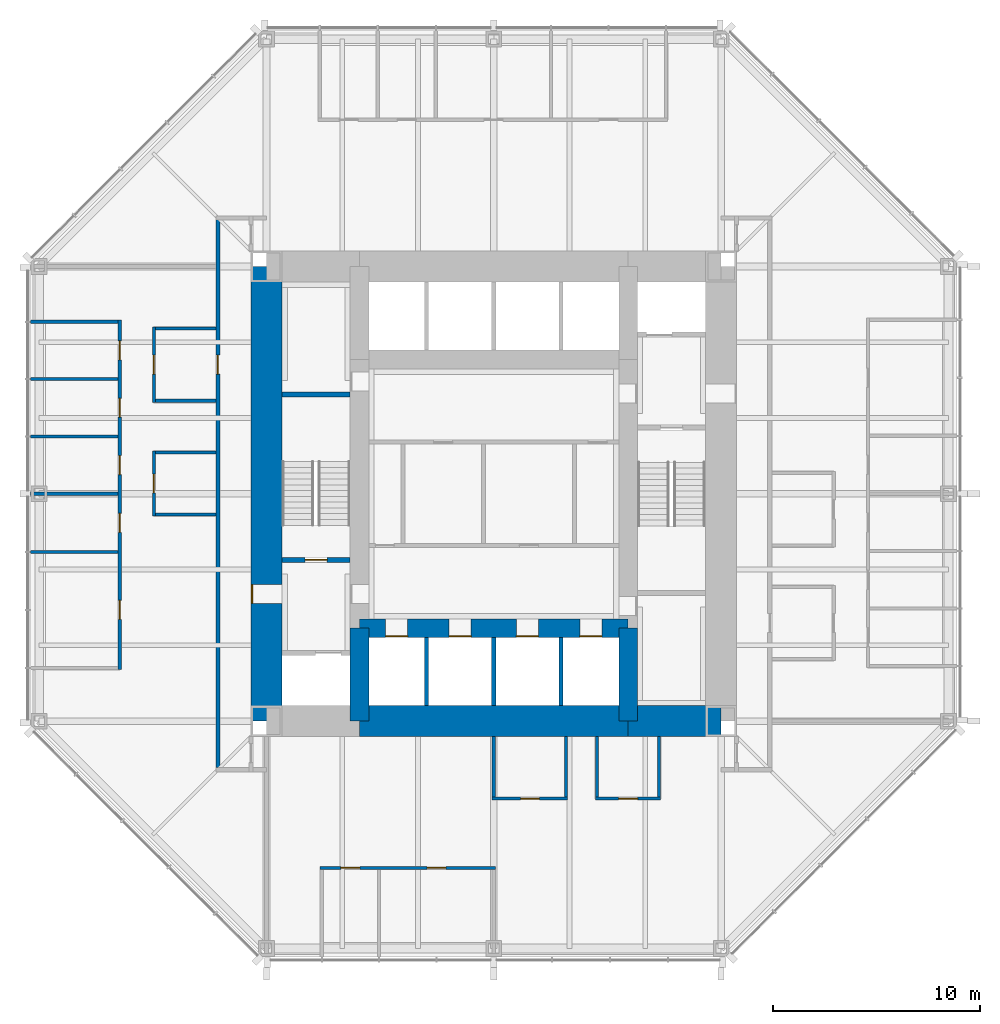
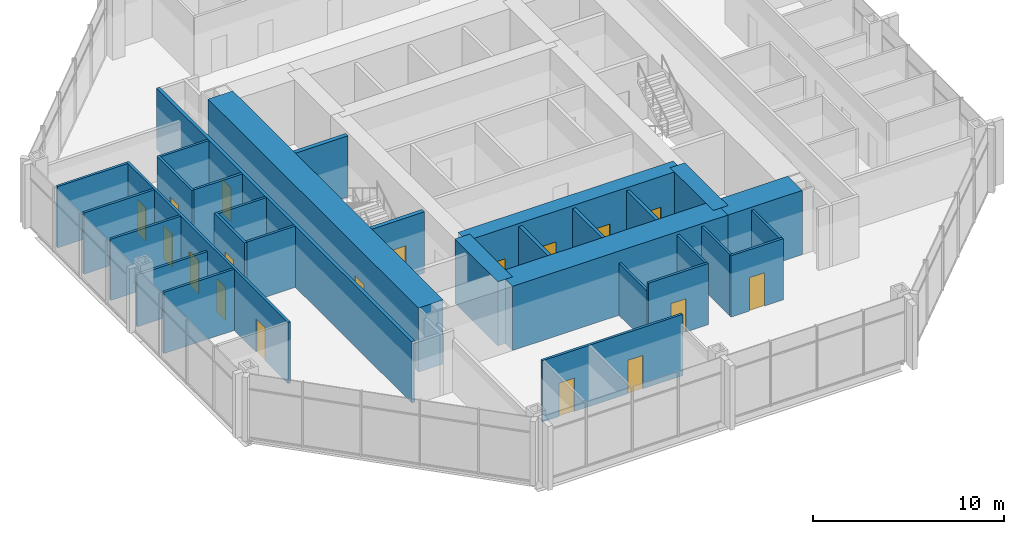
# One storey, part 9 of 12: 31 walls, 18 doors, 18 openings.
"""IFC4 building model written with IfcOpenShell, lengths in metres."""

from ifc_helpers import new_model, si_unit, direction, frame, frame_2d, origin, place, context, subcontext, project, spatial, rectangle, extrude, material, layer, layer_set, type_object, element, fill, save


model = new_model("IFC4")

# Units and contexts
model_context = context("Model", 3, precision=1e-05, world=origin(), true_north=direction((0.0, 1.0)))
body_context = subcontext(model_context, "Body", "Model", "MODEL_VIEW")
ifc_project = project(units=[si_unit("LENGTHUNIT", "METRE"), si_unit("AREAUNIT", "SQUARE_METRE"), si_unit("VOLUMEUNIT", "CUBIC_METRE"), si_unit("PLANEANGLEUNIT", "RADIAN"), si_unit("MASSUNIT", "GRAM", prefix="KILO")], contexts=[model_context])

# Site, building, storey
site_placement = place(None, origin())
site = spatial("IfcSite", under=ifc_project, at=site_placement, CompositionType="ELEMENT")
building_placement = place(site_placement, origin())
building = spatial("IfcBuilding", under=site, at=building_placement, Name="Trevanion Tower", CompositionType="ELEMENT")
storey_placement = place(building_placement, frame((0.0, 0.0, 117.199951171875)))
storey = spatial("IfcBuildingStorey", under=building, at=storey_placement, Name="L27", CompositionType="ELEMENT", Elevation=117.199951171875)

# Wall, opening, door
ifc_material_1 = material(Name="Concrete 10,000 psi", Category="concrete")
ifc_layer_1 = layer(ifc_material_1, 1.5)
ifc_layer_set_1 = layer_set([ifc_layer_1], Name="CW1 core wall 1500")
wall_type_1 = type_object("IfcWallType", Name="CW1 core wall 1500", PredefinedType="SHEAR", material=ifc_layer_set_1)
wall_1_placement = place(storey_placement, frame((-11.0, 11.0, 0.0), z_axis=(0.0, 0.0, 1.0), x_axis=(0.0, -1.0, 0.0)))
wall_1 = element("IfcWall", 1, at=wall_1_placement, inside=storey, type_object=wall_type_1, Name="CW1 CW L27", PredefinedType="SHEAR", context=body_context, shape_type="SweptSolid", body=[
    extrude(rectangle(XDim=22.0, YDim=1.5, at=frame_2d((11.0, 0.0))), origin(), (0.0, 0.0, 1.0), 4.10009765625),
])
opening_1_placement = place(wall_1_placement, frame((15.392578125, 0.0, 0.0)))
opening_1 = element("IfcOpeningElement", 2, at=opening_1_placement, cuts=wall_1, Name="Opening 27-002", PredefinedType="OPENING", context=body_context, shape_type="SweptSolid", body=[
    extrude(rectangle(XDim=0.9150390625, YDim=2.134033203125, at=frame_2d((0.45751953125, 1.06689453125))), frame((0.0, 0.760009765625, 0.0), z_axis=(0.0, -1.0, 0.0), x_axis=(1.0, 0.0, 0.0)), (0.0, 0.0, 1.0), 1.52001953125),
])
ifc_material_2 = material(Name="Hollow metal, fire rated", Category="steel")
door_type_1 = type_object("IfcDoorType", Name="D3 fire lift lobby door", OperationType="SINGLE_SWING_RIGHT", PredefinedType="DOOR", material=ifc_material_2)
door_1_placement = place(opening_1_placement, origin())
door_1 = element("IfcDoor", 3, at=door_1_placement, inside=storey, type_object=door_type_1, Name="Door 27-002", OperationType="SINGLE_SWING_RIGHT", OverallHeight=2.134033203125, OverallWidth=0.9150390625, PredefinedType="DOOR", context=body_context, shape_type="SweptSolid", body=[
    extrude(rectangle(XDim=0.9150390625, YDim=2.134033203125, at=frame_2d((0.45751953125, 1.06689453125))), frame((0.0, -0.6748046875, 0.0), z_axis=(0.0, -1.0, 0.0), x_axis=(1.0, 0.0, 0.0)), (0.0, 0.0, 1.0), 0.050048828125),
])
fill(opening_1, door_1)

# Walls
wall_2_placement = place(storey_placement, frame((-6.5, -11.0, 0.0), z_axis=(0.0, 0.0, 1.0), x_axis=(1.0, 0.0, 0.0)))
element("IfcWall", 4, at=wall_2_placement, inside=storey, type_object=wall_type_1, Name="CW1 CS2 L27", PredefinedType="SHEAR", context=body_context, shape_type="SweptSolid", body=[
    extrude(rectangle(XDim=13.0, YDim=1.5, at=frame_2d((6.5, 0.0))), origin(), (0.0, 0.0, 1.0), 4.10009765625),
])
wall_3_placement = place(storey_placement, frame((6.5, -11.0, 0.0), z_axis=(0.0, 0.0, 1.0), x_axis=(1.0, 0.0, 0.0)))
element("IfcWall", 5, at=wall_3_placement, inside=storey, type_object=wall_type_1, Name="CW1 CS3 L27", PredefinedType="SHEAR", context=body_context, shape_type="SweptSolid", body=[
    extrude(rectangle(XDim=4.5, YDim=1.5, at=frame_2d((2.25, 0.0))), origin(), (0.0, 0.0, 1.0), 4.10009765625),
])
ifc_material_3 = material(Name="Concrete 10,000 psi", Category="concrete")
ifc_layer_2 = layer(ifc_material_3, 0.89990234375)
ifc_layer_set_2 = layer_set([ifc_layer_2], Name="CW2 core wall 900")
wall_type_2 = type_object("IfcWallType", Name="CW2 core wall 900", PredefinedType="SHEAR", material=ifc_layer_set_2)
for number, where, z_axis, x_axis, name in (
    (6, (6.5, -11.0, 0.0), (0.0, 0.0, 1.0), (0.0, 1.0, 0.0), "CW2 RE1 L27"),
    (7, (-6.5, -6.5, 0.0), (0.0, 0.0, 1.0), (0.0, -1.0, 0.0), "CW2 RW3 L27"),
):
    element("IfcWall", number, at=place(storey_placement, frame(where, z_axis=z_axis, x_axis=x_axis)), inside=storey, type_object=wall_type_2, Name=name, PredefinedType="SHEAR", context=body_context, shape_type="SweptSolid", body=[
        extrude(rectangle(XDim=4.5, YDim=0.89990234375, at=frame_2d((2.25, 0.0))), origin(), (0.0, 0.0, 1.0), 4.10009765625),
    ])

# Wall, openings, doors
wall_4_placement = place(storey_placement, frame((-6.5, -6.5, 0.0), z_axis=(0.0, 0.0, 1.0), x_axis=(1.0, 0.0, 0.0)))
wall_4 = element("IfcWall", 8, at=wall_4_placement, inside=storey, type_object=wall_type_2, Name="CW2 RS L27", PredefinedType="SHEAR", context=body_context, shape_type="SweptSolid", body=[
    extrude(rectangle(XDim=13.0, YDim=0.89990234375, at=frame_2d((6.5, 0.0))), origin(), (0.0, 0.0, 1.0), 4.10009765625),
])
opening_2_placement = place(wall_4_placement, frame((1.2666015625, 0.0, 0.0)))
opening_2 = element("IfcOpeningElement", 9, at=opening_2_placement, cuts=wall_4, Name="Opening 27-011", PredefinedType="OPENING", context=body_context, shape_type="SweptSolid", body=[
    extrude(rectangle(XDim=1.06689453125, YDim=2.134033203125, at=frame_2d((0.533447265625, 1.06689453125))), frame((0.0, 0.4599609375, 0.0), z_axis=(0.0, -1.0, 0.0), x_axis=(1.0, 0.0, 0.0)), (0.0, 0.0, 1.0), 0.919921875),
])
opening_3_placement = place(wall_4_placement, frame((4.341552734375, 0.0, 0.0)))
opening_3 = element("IfcOpeningElement", 10, at=opening_3_placement, cuts=wall_4, Name="Opening 27-012", PredefinedType="OPENING", context=body_context, shape_type="SweptSolid", body=[
    extrude(rectangle(XDim=1.06689453125, YDim=2.134033203125, at=frame_2d((0.533447265625, 1.06689453125))), frame((0.0, 0.4599609375, 0.0), z_axis=(0.0, -1.0, 0.0), x_axis=(1.0, 0.0, 0.0)), (0.0, 0.0, 1.0), 0.919921875),
])
opening_4_placement = place(wall_4_placement, frame((7.591552734375, 0.0, 0.0)))
opening_4 = element("IfcOpeningElement", 11, at=opening_4_placement, cuts=wall_4, Name="Opening 27-013", PredefinedType="OPENING", context=body_context, shape_type="SweptSolid", body=[
    extrude(rectangle(XDim=1.06689453125, YDim=2.134033203125, at=frame_2d((0.533447265625, 1.06689453125))), frame((0.0, 0.4599609375, 0.0), z_axis=(0.0, -1.0, 0.0), x_axis=(1.0, 0.0, 0.0)), (0.0, 0.0, 1.0), 0.919921875),
])
opening_5_placement = place(wall_4_placement, frame((10.66650390625, 0.0, 0.0)))
opening_5 = element("IfcOpeningElement", 12, at=opening_5_placement, cuts=wall_4, Name="Opening 27-014", PredefinedType="OPENING", context=body_context, shape_type="SweptSolid", body=[
    extrude(rectangle(XDim=1.06689453125, YDim=2.134033203125, at=frame_2d((0.533447265625, 1.06689453125))), frame((0.0, 0.4599609375, 0.0), z_axis=(0.0, -1.0, 0.0), x_axis=(1.0, 0.0, 0.0)), (0.0, 0.0, 1.0), 0.919921875),
])
ifc_material_4 = material(Name="Stainless steel, fire rated", Category="steel")
door_type_2 = type_object("IfcDoorType", Name="LD1 lift landing door", OperationType="SLIDING_TO_LEFT", PredefinedType="DOOR", material=ifc_material_4)
door_2_placement = place(opening_2_placement, origin())
door_2 = element("IfcDoor", 13, at=door_2_placement, inside=storey, type_object=door_type_2, Name="Door 27-011", OperationType="SLIDING_TO_LEFT", OverallHeight=2.134033203125, OverallWidth=1.06689453125, PredefinedType="DOOR", context=body_context, shape_type="SweptSolid", body=[
    extrude(rectangle(XDim=1.06689453125, YDim=2.134033203125, at=frame_2d((0.533447265625, 1.06689453125))), frame((0.0, -0.375, 0.0), z_axis=(0.0, -1.0, 0.0), x_axis=(1.0, 0.0, 0.0)), (0.0, 0.0, 1.0), 0.050048828125),
])
fill(opening_2, door_2)
door_3_placement = place(opening_3_placement, origin())
door_3 = element("IfcDoor", 14, at=door_3_placement, inside=storey, type_object=door_type_2, Name="Door 27-012", OperationType="SLIDING_TO_LEFT", OverallHeight=2.134033203125, OverallWidth=1.06689453125, PredefinedType="DOOR", context=body_context, shape_type="SweptSolid", body=[
    extrude(rectangle(XDim=1.06689453125, YDim=2.134033203125, at=frame_2d((0.533447265625, 1.06689453125))), frame((0.0, -0.375, 0.0), z_axis=(0.0, -1.0, 0.0), x_axis=(1.0, 0.0, 0.0)), (0.0, 0.0, 1.0), 0.050048828125),
])
fill(opening_3, door_3)
door_4_placement = place(opening_4_placement, origin())
door_4 = element("IfcDoor", 15, at=door_4_placement, inside=storey, type_object=door_type_2, Name="Door 27-013", OperationType="SLIDING_TO_LEFT", OverallHeight=2.134033203125, OverallWidth=1.06689453125, PredefinedType="DOOR", context=body_context, shape_type="SweptSolid", body=[
    extrude(rectangle(XDim=1.06689453125, YDim=2.134033203125, at=frame_2d((0.533447265625, 1.06689453125))), frame((0.0, -0.375, 0.0), z_axis=(0.0, -1.0, 0.0), x_axis=(1.0, 0.0, 0.0)), (0.0, 0.0, 1.0), 0.050048828125),
])
fill(opening_4, door_4)
door_5_placement = place(opening_5_placement, origin())
door_5 = element("IfcDoor", 16, at=door_5_placement, inside=storey, type_object=door_type_2, Name="Door 27-014", OperationType="SLIDING_TO_LEFT", OverallHeight=2.134033203125, OverallWidth=1.06689453125, PredefinedType="DOOR", context=body_context, shape_type="SweptSolid", body=[
    extrude(rectangle(XDim=1.06689453125, YDim=2.134033203125, at=frame_2d((0.533447265625, 1.06689453125))), frame((0.0, -0.375, 0.0), z_axis=(0.0, -1.0, 0.0), x_axis=(1.0, 0.0, 0.0)), (0.0, 0.0, 1.0), 0.050048828125),
])
fill(opening_5, door_5)

ifc_material_5 = material(Name="Gypsum board on steel studs", Category="steel")
ifc_layer_3 = layer(ifc_material_5, 0.14990234375)
ifc_layer_set_3 = layer_set([ifc_layer_3], Name="PT1 partition 150")
wall_type_3 = type_object("IfcWallType", Name="PT1 partition 150", PredefinedType="PARTITIONING", material=ifc_layer_set_3)
wall_5_placement = place(storey_placement, frame((-18.10009765625, 8.39794921875, 0.0), z_axis=(0.0, 0.0, 1.0), x_axis=(0.0, -1.0, 0.0)))
wall_5 = element("IfcWall", 17, at=wall_5_placement, inside=storey, type_object=wall_type_3, Name="PT1 L27 FC2F", PredefinedType="PARTITIONING", context=body_context, shape_type="SweptSolid", body=[
    extrude(rectangle(XDim=16.89404296875, YDim=0.14990234375, at=frame_2d((8.447021484375, 0.0))), origin(), (0.0, 0.0, 1.0), 3.91015625),
])
opening_6_placement = place(wall_5_placement, frame((1.00439453125, 0.0, 0.0)))
opening_6 = element("IfcOpeningElement", 18, at=opening_6_placement, cuts=wall_5, Name="Opening 27-032", PredefinedType="OPENING", context=body_context, shape_type="SweptSolid", body=[
    extrude(rectangle(XDim=0.9150390625, YDim=2.134033203125, at=frame_2d((0.45751953125, 1.06689453125))), frame((0.0, 0.0849609375, 0.0), z_axis=(0.0, -1.0, 0.0), x_axis=(1.0, 0.0, 0.0)), (0.0, 0.0, 1.0), 0.169921875),
])
opening_7_placement = place(wall_5_placement, frame((3.778564453125, 0.0, 0.0)))
opening_7 = element("IfcOpeningElement", 19, at=opening_7_placement, cuts=wall_5, Name="Opening 27-033", PredefinedType="OPENING", context=body_context, shape_type="SweptSolid", body=[
    extrude(rectangle(XDim=0.9150390625, YDim=2.134033203125, at=frame_2d((0.45751953125, 1.06689453125))), frame((0.0, 0.0849609375, 0.0), z_axis=(0.0, -1.0, 0.0), x_axis=(1.0, 0.0, 0.0)), (0.0, 0.0, 1.0), 0.169921875),
])
opening_8_placement = place(wall_5_placement, frame((6.552978515625, 0.0, 0.0)))
opening_8 = element("IfcOpeningElement", 20, at=opening_8_placement, cuts=wall_5, Name="Opening 27-034", PredefinedType="OPENING", context=body_context, shape_type="SweptSolid", body=[
    extrude(rectangle(XDim=0.9150390625, YDim=2.134033203125, at=frame_2d((0.45751953125, 1.06689453125))), frame((0.0, 0.0849609375, 0.0), z_axis=(0.0, -1.0, 0.0), x_axis=(1.0, 0.0, 0.0)), (0.0, 0.0, 1.0), 0.169921875),
])
opening_9_placement = place(wall_5_placement, frame((9.343994140625, 0.0, 0.0)))
opening_9 = element("IfcOpeningElement", 21, at=opening_9_placement, cuts=wall_5, Name="Opening 27-035", PredefinedType="OPENING", context=body_context, shape_type="SweptSolid", body=[
    extrude(rectangle(XDim=0.9150390625, YDim=2.134033203125, at=frame_2d((0.45751953125, 1.06689453125))), frame((0.0, 0.0849609375, 0.0), z_axis=(0.0, -1.0, 0.0), x_axis=(1.0, 0.0, 0.0)), (0.0, 0.0, 1.0), 0.169921875),
])
opening_10_placement = place(wall_5_placement, frame((13.554443359375, 0.0, 0.0)))
opening_10 = element("IfcOpeningElement", 22, at=opening_10_placement, cuts=wall_5, Name="Opening 27-036", PredefinedType="OPENING", context=body_context, shape_type="SweptSolid", body=[
    extrude(rectangle(XDim=0.9150390625, YDim=2.134033203125, at=frame_2d((0.45751953125, 1.06689453125))), frame((0.0, 0.0849609375, 0.0), z_axis=(0.0, -1.0, 0.0), x_axis=(1.0, 0.0, 0.0)), (0.0, 0.0, 1.0), 0.169921875),
])
ifc_material_6 = material(Name="Timber veneer, solid core", Category="wood")
door_type_3 = type_object("IfcDoorType", Name="D1 office and meeting room door", OperationType="SINGLE_SWING_LEFT", PredefinedType="DOOR", material=ifc_material_6)
door_6_placement = place(opening_6_placement, origin())
door_6 = element("IfcDoor", 23, at=door_6_placement, inside=storey, type_object=door_type_3, Name="Door 27-032", OperationType="SINGLE_SWING_LEFT", OverallHeight=2.134033203125, OverallWidth=0.9150390625, PredefinedType="DOOR", context=body_context, shape_type="SweptSolid", body=[
    extrude(rectangle(XDim=0.9150390625, YDim=2.134033203125, at=frame_2d((0.45751953125, 1.06689453125))), frame((0.0, 0.02490234375, 0.0), z_axis=(0.0, -1.0, 0.0), x_axis=(1.0, 0.0, 0.0)), (0.0, 0.0, 1.0), 0.050048828125),
])
fill(opening_6, door_6)
door_7_placement = place(opening_7_placement, origin())
door_7 = element("IfcDoor", 24, at=door_7_placement, inside=storey, type_object=door_type_3, Name="Door 27-033", OperationType="SINGLE_SWING_LEFT", OverallHeight=2.134033203125, OverallWidth=0.9150390625, PredefinedType="DOOR", context=body_context, shape_type="SweptSolid", body=[
    extrude(rectangle(XDim=0.9150390625, YDim=2.134033203125, at=frame_2d((0.45751953125, 1.06689453125))), frame((0.0, 0.02490234375, 0.0), z_axis=(0.0, -1.0, 0.0), x_axis=(1.0, 0.0, 0.0)), (0.0, 0.0, 1.0), 0.050048828125),
])
fill(opening_7, door_7)
door_8_placement = place(opening_8_placement, origin())
door_8 = element("IfcDoor", 25, at=door_8_placement, inside=storey, type_object=door_type_3, Name="Door 27-034", OperationType="SINGLE_SWING_LEFT", OverallHeight=2.134033203125, OverallWidth=0.9150390625, PredefinedType="DOOR", context=body_context, shape_type="SweptSolid", body=[
    extrude(rectangle(XDim=0.9150390625, YDim=2.134033203125, at=frame_2d((0.45751953125, 1.06689453125))), frame((0.0, 0.02490234375, 0.0), z_axis=(0.0, -1.0, 0.0), x_axis=(1.0, 0.0, 0.0)), (0.0, 0.0, 1.0), 0.050048828125),
])
fill(opening_8, door_8)
door_9_placement = place(opening_9_placement, origin())
door_9 = element("IfcDoor", 26, at=door_9_placement, inside=storey, type_object=door_type_3, Name="Door 27-035", OperationType="SINGLE_SWING_LEFT", OverallHeight=2.134033203125, OverallWidth=0.9150390625, PredefinedType="DOOR", context=body_context, shape_type="SweptSolid", body=[
    extrude(rectangle(XDim=0.9150390625, YDim=2.134033203125, at=frame_2d((0.45751953125, 1.06689453125))), frame((0.0, 0.02490234375, 0.0), z_axis=(0.0, -1.0, 0.0), x_axis=(1.0, 0.0, 0.0)), (0.0, 0.0, 1.0), 0.050048828125),
])
fill(opening_9, door_9)
door_10_placement = place(opening_10_placement, origin())
door_10 = element("IfcDoor", 27, at=door_10_placement, inside=storey, type_object=door_type_3, Name="Door 27-036", OperationType="SINGLE_SWING_LEFT", OverallHeight=2.134033203125, OverallWidth=0.9150390625, PredefinedType="DOOR", context=body_context, shape_type="SweptSolid", body=[
    extrude(rectangle(XDim=0.9150390625, YDim=2.134033203125, at=frame_2d((0.45751953125, 1.06689453125))), frame((0.0, 0.02490234375, 0.0), z_axis=(0.0, -1.0, 0.0), x_axis=(1.0, 0.0, 0.0)), (0.0, 0.0, 1.0), 0.050048828125),
])
fill(opening_10, door_10)

# Walls
for number, where, z_axis, x_axis, name in (
    (28, (-18.175048828125, 8.322998046875, 0.0), (0.0, 0.0, 1.0), (-1.0, 0.0, 0.0), "PT1 L27 FC2S0"),
    (29, (-18.175048828125, 5.549072265625, 0.0), (0.0, 0.0, 1.0), (-1.0, 0.0, 0.0), "PT1 L27 FC2S1"),
    (30, (-18.175048828125, 2.77490234375, 0.0), (0.0, 0.0, 1.0), (-1.0, 0.0, 0.0), "PT1 L27 FC2S2"),
):
    element("IfcWall", number, at=place(storey_placement, frame(where, z_axis=z_axis, x_axis=x_axis)), inside=storey, type_object=wall_type_3, Name=name, PredefinedType="PARTITIONING", context=body_context, shape_type="SweptSolid", body=[
        extrude(rectangle(XDim=4.239990234375, YDim=0.14990234375, at=frame_2d((2.1201171875, 0.0))), origin(), (0.0, 0.0, 1.0), 3.91015625),
    ])
wall_6_placement = place(storey_placement, frame((-18.175048828125, 0.0, 0.0), z_axis=(0.0, 0.0, 1.0), x_axis=(-1.0, 0.0, 0.0)))
element("IfcWall", 31, at=wall_6_placement, inside=storey, type_object=wall_type_3, Name="PT1 L27 FC2S3", PredefinedType="PARTITIONING", context=body_context, shape_type="SweptSolid", body=[
    extrude(rectangle(XDim=4.239990234375, YDim=0.14990234375, at=frame_2d((2.1201171875, 0.0))), origin(), (0.0, 0.0, 1.0), 3.325927734375),
])
wall_7_placement = place(storey_placement, frame((-18.175048828125, -2.806884765625, 0.0), z_axis=(0.0, 0.0, 1.0), x_axis=(-1.0, 0.0, 0.0)))
element("IfcWall", 32, at=wall_7_placement, inside=storey, type_object=wall_type_3, Name="PT1 L27 FC2S4", PredefinedType="PARTITIONING", context=body_context, shape_type="SweptSolid", body=[
    extrude(rectangle(XDim=4.239990234375, YDim=0.14990234375, at=frame_2d((2.1201171875, 0.0))), origin(), (0.0, 0.0, 1.0), 3.91015625),
])

# Wall, openings, doors
wall_8_placement = place(storey_placement, frame((-8.39794921875, -18.10009765625, 0.0), z_axis=(0.0, 0.0, 1.0), x_axis=(1.0, 0.0, 0.0)))
wall_8 = element("IfcWall", 33, at=wall_8_placement, inside=storey, type_object=wall_type_3, Name="PT1 L27 FC3F", PredefinedType="PARTITIONING", context=body_context, shape_type="SweptSolid", body=[
    extrude(rectangle(XDim=8.472900390625, YDim=0.14990234375, at=frame_2d((4.236328125, 0.0))), origin(), (0.0, 0.0, 1.0), 3.91015625),
])
opening_11_placement = place(wall_8_placement, frame((1.00439453125, 0.0, 0.0)))
opening_11 = element("IfcOpeningElement", 34, at=opening_11_placement, cuts=wall_8, Name="Opening 27-037", PredefinedType="OPENING", context=body_context, shape_type="SweptSolid", body=[
    extrude(rectangle(XDim=0.9150390625, YDim=2.134033203125, at=frame_2d((0.45751953125, 1.06689453125))), frame((0.0, 0.0849609375, 0.0), z_axis=(0.0, -1.0, 0.0), x_axis=(1.0, 0.0, 0.0)), (0.0, 0.0, 1.0), 0.169921875),
])
opening_12_placement = place(wall_8_placement, frame((5.166015625, 0.0, 0.0)))
opening_12 = element("IfcOpeningElement", 35, at=opening_12_placement, cuts=wall_8, Name="Opening 27-038", PredefinedType="OPENING", context=body_context, shape_type="SweptSolid", body=[
    extrude(rectangle(XDim=0.9150390625, YDim=2.134033203125, at=frame_2d((0.45751953125, 1.06689453125))), frame((0.0, 0.0849609375, 0.0), z_axis=(0.0, -1.0, 0.0), x_axis=(1.0, 0.0, 0.0)), (0.0, 0.0, 1.0), 0.169921875),
])
door_11_placement = place(opening_11_placement, origin())
door_11 = element("IfcDoor", 36, at=door_11_placement, inside=storey, type_object=door_type_3, Name="Door 27-037", OperationType="SINGLE_SWING_LEFT", OverallHeight=2.134033203125, OverallWidth=0.9150390625, PredefinedType="DOOR", context=body_context, shape_type="SweptSolid", body=[
    extrude(rectangle(XDim=0.9150390625, YDim=2.134033203125, at=frame_2d((0.45751953125, 1.06689453125))), frame((0.0, 0.02490234375, 0.0), z_axis=(0.0, -1.0, 0.0), x_axis=(1.0, 0.0, 0.0)), (0.0, 0.0, 1.0), 0.050048828125),
])
fill(opening_11, door_11)
door_12_placement = place(opening_12_placement, origin())
door_12 = element("IfcDoor", 37, at=door_12_placement, inside=storey, type_object=door_type_3, Name="Door 27-038", OperationType="SINGLE_SWING_LEFT", OverallHeight=2.134033203125, OverallWidth=0.9150390625, PredefinedType="DOOR", context=body_context, shape_type="SweptSolid", body=[
    extrude(rectangle(XDim=0.9150390625, YDim=2.134033203125, at=frame_2d((0.45751953125, 1.06689453125))), frame((0.0, 0.02490234375, 0.0), z_axis=(0.0, -1.0, 0.0), x_axis=(1.0, 0.0, 0.0)), (0.0, 0.0, 1.0), 0.050048828125),
])
fill(opening_12, door_12)

# Wall, opening, door
wall_9_placement = place(storey_placement, frame((-16.449951171875, 8.074951171875, 0.0), z_axis=(0.0, 0.0, 1.0), x_axis=(0.0, -1.0, 0.0)))
wall_9 = element("IfcWall", 38, at=wall_9_placement, inside=storey, type_object=wall_type_3, Name="PT1 L27 IN20F", PredefinedType="PARTITIONING", context=body_context, shape_type="SweptSolid", body=[
    extrude(rectangle(XDim=3.64990234375, YDim=0.14990234375, at=frame_2d((1.824951171875, 0.0))), origin(), (0.0, 0.0, 1.0), 3.91015625),
])
opening_13_placement = place(wall_9_placement, frame((1.367431640625, 0.0, 0.0)))
opening_13 = element("IfcOpeningElement", 39, at=opening_13_placement, cuts=wall_9, Name="Opening 27-042", PredefinedType="OPENING", context=body_context, shape_type="SweptSolid", body=[
    extrude(rectangle(XDim=0.9150390625, YDim=2.134033203125, at=frame_2d((0.45751953125, 1.06689453125))), frame((0.0, 0.0849609375, 0.0), z_axis=(0.0, -1.0, 0.0), x_axis=(1.0, 0.0, 0.0)), (0.0, 0.0, 1.0), 0.169921875),
])
door_13_placement = place(opening_13_placement, origin())
door_13 = element("IfcDoor", 40, at=door_13_placement, inside=storey, type_object=door_type_3, Name="Door 27-042", OperationType="SINGLE_SWING_LEFT", OverallHeight=2.134033203125, OverallWidth=0.9150390625, PredefinedType="DOOR", context=body_context, shape_type="SweptSolid", body=[
    extrude(rectangle(XDim=0.9150390625, YDim=2.134033203125, at=frame_2d((0.45751953125, 1.06689453125))), frame((0.0, 0.02490234375, 0.0), z_axis=(0.0, -1.0, 0.0), x_axis=(1.0, 0.0, 0.0)), (0.0, 0.0, 1.0), 0.050048828125),
])
fill(opening_13, door_13)

# Walls
for number, where, z_axis, x_axis, name in (
    (41, (-16.375, 8.0, 0.0), (0.0, 0.0, 1.0), (1.0, 0.0, 0.0), "PT1 L27 IN20S0"),
    (42, (-16.375, 4.5, 0.0), (0.0, 0.0, 1.0), (1.0, 0.0, 0.0), "PT1 L27 IN20S1"),
):
    element("IfcWall", number, at=place(storey_placement, frame(where, z_axis=z_axis, x_axis=x_axis)), inside=storey, type_object=wall_type_3, Name=name, PredefinedType="PARTITIONING", context=body_context, shape_type="SweptSolid", body=[
        extrude(rectangle(XDim=2.925048828125, YDim=0.14990234375, at=frame_2d((1.46240234375, 0.0))), origin(), (0.0, 0.0, 1.0), 3.91015625),
    ])

# Wall, opening, door
wall_10_placement = place(storey_placement, frame((-16.449951171875, 2.074951171875, 0.0), z_axis=(0.0, 0.0, 1.0), x_axis=(0.0, -1.0, 0.0)))
wall_10 = element("IfcWall", 43, at=wall_10_placement, inside=storey, type_object=wall_type_3, Name="PT1 L27 IN21F", PredefinedType="PARTITIONING", context=body_context, shape_type="SweptSolid", body=[
    extrude(rectangle(XDim=3.14990234375, YDim=0.14990234375, at=frame_2d((1.574951171875, 0.0))), origin(), (0.0, 0.0, 1.0), 3.91015625),
])
opening_14_placement = place(wall_10_placement, frame((1.117431640625, 0.0, 0.0)))
opening_14 = element("IfcOpeningElement", 44, at=opening_14_placement, cuts=wall_10, Name="Opening 27-044", PredefinedType="OPENING", context=body_context, shape_type="SweptSolid", body=[
    extrude(rectangle(XDim=0.9150390625, YDim=2.134033203125, at=frame_2d((0.45751953125, 1.06689453125))), frame((0.0, 0.0849609375, 0.0), z_axis=(0.0, -1.0, 0.0), x_axis=(1.0, 0.0, 0.0)), (0.0, 0.0, 1.0), 0.169921875),
])
door_14_placement = place(opening_14_placement, origin())
door_14 = element("IfcDoor", 45, at=door_14_placement, inside=storey, type_object=door_type_3, Name="Door 27-044", OperationType="SINGLE_SWING_LEFT", OverallHeight=2.134033203125, OverallWidth=0.9150390625, PredefinedType="DOOR", context=body_context, shape_type="SweptSolid", body=[
    extrude(rectangle(XDim=0.9150390625, YDim=2.134033203125, at=frame_2d((0.45751953125, 1.06689453125))), frame((0.0, 0.02490234375, 0.0), z_axis=(0.0, -1.0, 0.0), x_axis=(1.0, 0.0, 0.0)), (0.0, 0.0, 1.0), 0.050048828125),
])
fill(opening_14, door_14)

# Walls
for number, where, z_axis, x_axis, name in (
    (46, (-16.375, 2.0, 0.0), (0.0, 0.0, 1.0), (1.0, 0.0, 0.0), "PT1 L27 IN21S0"),
    (47, (-16.375, -1.0, 0.0), (0.0, 0.0, 1.0), (1.0, 0.0, 0.0), "PT1 L27 IN21S1"),
):
    element("IfcWall", number, at=place(storey_placement, frame(where, z_axis=z_axis, x_axis=x_axis)), inside=storey, type_object=wall_type_3, Name=name, PredefinedType="PARTITIONING", context=body_context, shape_type="SweptSolid", body=[
        extrude(rectangle(XDim=2.925048828125, YDim=0.14990234375, at=frame_2d((1.46240234375, 0.0))), origin(), (0.0, 0.0, 1.0), 3.91015625),
    ])

# Wall, opening, door
wall_11_placement = place(storey_placement, frame((-0.074951171875, -14.75, 0.0), z_axis=(0.0, 0.0, 1.0), x_axis=(1.0, 0.0, 0.0)))
wall_11 = element("IfcWall", 48, at=wall_11_placement, inside=storey, type_object=wall_type_3, Name="PT1 L27 IN30F", PredefinedType="PARTITIONING", context=body_context, shape_type="SweptSolid", body=[
    extrude(rectangle(XDim=3.64990234375, YDim=0.14990234375, at=frame_2d((1.824951171875, 0.0))), origin(), (0.0, 0.0, 1.0), 3.91015625),
])
opening_15_placement = place(wall_11_placement, frame((1.367431640625, 0.0, 0.0)))
opening_15 = element("IfcOpeningElement", 49, at=opening_15_placement, cuts=wall_11, Name="Opening 27-045", PredefinedType="OPENING", context=body_context, shape_type="SweptSolid", body=[
    extrude(rectangle(XDim=0.9150390625, YDim=2.134033203125, at=frame_2d((0.45751953125, 1.06689453125))), frame((0.0, 0.0849609375, 0.0), z_axis=(0.0, -1.0, 0.0), x_axis=(1.0, 0.0, 0.0)), (0.0, 0.0, 1.0), 0.169921875),
])
door_15_placement = place(opening_15_placement, origin())
door_15 = element("IfcDoor", 50, at=door_15_placement, inside=storey, type_object=door_type_3, Name="Door 27-045", OperationType="SINGLE_SWING_LEFT", OverallHeight=2.134033203125, OverallWidth=0.9150390625, PredefinedType="DOOR", context=body_context, shape_type="SweptSolid", body=[
    extrude(rectangle(XDim=0.9150390625, YDim=2.134033203125, at=frame_2d((0.45751953125, 1.06689453125))), frame((0.0, 0.02490234375, 0.0), z_axis=(0.0, -1.0, 0.0), x_axis=(1.0, 0.0, 0.0)), (0.0, 0.0, 1.0), 0.050048828125),
])
fill(opening_15, door_15)

# Walls
wall_12_placement = place(storey_placement, frame((0.0, -14.675048828125, 0.0), z_axis=(0.0, 0.0, 1.0), x_axis=(0.0, 1.0, 0.0)))
element("IfcWall", 51, at=wall_12_placement, inside=storey, type_object=wall_type_3, Name="PT1 L27 IN30S0", PredefinedType="PARTITIONING", context=body_context, shape_type="SweptSolid", body=[
    extrude(rectangle(XDim=2.925048828125, YDim=0.14990234375, at=frame_2d((1.46240234375, 0.0))), origin(), (0.0, 0.0, 1.0), 3.325927734375),
])
wall_13_placement = place(storey_placement, frame((3.5, -14.675048828125, 0.0), z_axis=(0.0, 0.0, 1.0), x_axis=(0.0, 1.0, 0.0)))
element("IfcWall", 52, at=wall_13_placement, inside=storey, type_object=wall_type_3, Name="PT1 L27 IN30S1", PredefinedType="PARTITIONING", context=body_context, shape_type="SweptSolid", body=[
    extrude(rectangle(XDim=2.925048828125, YDim=0.14990234375, at=frame_2d((1.46240234375, 0.0))), origin(), (0.0, 0.0, 1.0), 3.91015625),
])

# Wall, opening, door
wall_14_placement = place(storey_placement, frame((4.925048828125, -14.75, 0.0), z_axis=(0.0, 0.0, 1.0), x_axis=(1.0, 0.0, 0.0)))
wall_14 = element("IfcWall", 53, at=wall_14_placement, inside=storey, type_object=wall_type_3, Name="PT1 L27 IN31F", PredefinedType="PARTITIONING", context=body_context, shape_type="SweptSolid", body=[
    extrude(rectangle(XDim=3.14990234375, YDim=0.14990234375, at=frame_2d((1.574951171875, 0.0))), origin(), (0.0, 0.0, 1.0), 3.91015625),
])
opening_16_placement = place(wall_14_placement, frame((1.117431640625, 0.0, 0.0)))
opening_16 = element("IfcOpeningElement", 54, at=opening_16_placement, cuts=wall_14, Name="Opening 27-046", PredefinedType="OPENING", context=body_context, shape_type="SweptSolid", body=[
    extrude(rectangle(XDim=0.9150390625, YDim=2.134033203125, at=frame_2d((0.45751953125, 1.06689453125))), frame((0.0, 0.0849609375, 0.0), z_axis=(0.0, -1.0, 0.0), x_axis=(1.0, 0.0, 0.0)), (0.0, 0.0, 1.0), 0.169921875),
])
door_16_placement = place(opening_16_placement, origin())
door_16 = element("IfcDoor", 55, at=door_16_placement, inside=storey, type_object=door_type_3, Name="Door 27-046", OperationType="SINGLE_SWING_LEFT", OverallHeight=2.134033203125, OverallWidth=0.9150390625, PredefinedType="DOOR", context=body_context, shape_type="SweptSolid", body=[
    extrude(rectangle(XDim=0.9150390625, YDim=2.134033203125, at=frame_2d((0.45751953125, 1.06689453125))), frame((0.0, 0.02490234375, 0.0), z_axis=(0.0, -1.0, 0.0), x_axis=(1.0, 0.0, 0.0)), (0.0, 0.0, 1.0), 0.050048828125),
])
fill(opening_16, door_16)

# Walls
for number, where, z_axis, x_axis, name in (
    (56, (5.0, -14.675048828125, 0.0), (0.0, 0.0, 1.0), (0.0, 1.0, 0.0), "PT1 L27 IN31S0"),
    (57, (8.0, -14.675048828125, 0.0), (0.0, 0.0, 1.0), (0.0, 1.0, 0.0), "PT1 L27 IN31S1"),
):
    element("IfcWall", number, at=place(storey_placement, frame(where, z_axis=z_axis, x_axis=x_axis)), inside=storey, type_object=wall_type_3, Name=name, PredefinedType="PARTITIONING", context=body_context, shape_type="SweptSolid", body=[
        extrude(rectangle(XDim=2.925048828125, YDim=0.14990234375, at=frame_2d((1.46240234375, 0.0))), origin(), (0.0, 0.0, 1.0), 3.91015625),
    ])

# Wall, opening, door
ifc_material_7 = material(Name="Concrete masonry, grouted", Category="masonry")
ifc_layer_4 = layer(ifc_material_7, 0.199951171875)
ifc_layer_set_4 = layer_set([ifc_layer_4], Name="PT2 partition 200 1 HR")
wall_type_4 = type_object("IfcWallType", Name="PT2 partition 200 1 HR", PredefinedType="PARTITIONING", material=ifc_layer_set_4)
wall_15_placement = place(storey_placement, frame((-13.35009765625, 13.449951171875, 0.0), z_axis=(0.0, 0.0, 1.0), x_axis=(0.0, -1.0, 0.0)))
wall_15 = element("IfcWall", 58, at=wall_15_placement, inside=storey, type_object=wall_type_4, Name="PT2 L27 OC2", PredefinedType="PARTITIONING", context=body_context, shape_type="SweptSolid", body=[
    extrude(rectangle(XDim=26.699951171875, YDim=0.199951171875, at=frame_2d((13.35009765625, 0.0))), origin(), (0.0, 0.0, 1.0), 3.91015625),
])
opening_17_placement = place(wall_15_placement, frame((6.742431640625, 0.0, 0.0)))
opening_17 = element("IfcOpeningElement", 59, at=opening_17_placement, cuts=wall_15, Name="Opening 27-043", PredefinedType="OPENING", context=body_context, shape_type="SweptSolid", body=[
    extrude(rectangle(XDim=0.9150390625, YDim=2.134033203125, at=frame_2d((0.45751953125, 1.06689453125))), frame((0.0, 0.10986328125, 0.0), z_axis=(0.0, -1.0, 0.0), x_axis=(1.0, 0.0, 0.0)), (0.0, 0.0, 1.0), 0.219970703125),
])
ifc_material_8 = material(Name="Timber veneer, fire rated", Category="wood")
door_type_4 = type_object("IfcDoorType", Name="D10 office door in a one hour wall", OperationType="SINGLE_SWING_LEFT", PredefinedType="DOOR", material=ifc_material_8)
door_17_placement = place(opening_17_placement, origin())
door_17 = element("IfcDoor", 60, at=door_17_placement, inside=storey, type_object=door_type_4, Name="Door 27-043", OperationType="SINGLE_SWING_LEFT", OverallHeight=2.134033203125, OverallWidth=0.9150390625, PredefinedType="DOOR", context=body_context, shape_type="SweptSolid", body=[
    extrude(rectangle(XDim=0.9150390625, YDim=2.134033203125, at=frame_2d((0.45751953125, 1.06689453125))), frame((0.0, 0.02490234375, 0.0), z_axis=(0.0, -1.0, 0.0), x_axis=(1.0, 0.0, 0.0)), (0.0, 0.0, 1.0), 0.050048828125),
])
fill(opening_17, door_17)

# Walls
ifc_material_9 = material(Name="Concrete masonry, grouted", Category="masonry")
ifc_layer_5 = layer(ifc_material_9, 0.199951171875)
ifc_layer_set_5 = layer_set([ifc_layer_5], Name="PT2 partition 200 2 HR")
wall_type_5 = type_object("IfcWallType", Name="PT2 partition 200 2 HR", PredefinedType="PARTITIONING", material=ifc_layer_set_5)
for number, where, z_axis, x_axis, name in (
    (61, (-3.25, -10.25, 0.0), (0.0, 0.0, 1.0), (0.0, 1.0, 0.0), "PT2 L27 SS0"),
    (62, (0.0, -10.25, 0.0), (0.0, 0.0, 1.0), (0.0, 1.0, 0.0), "PT2 L27 SS1"),
    (63, (3.25, -10.25, 0.0), (0.0, 0.0, 1.0), (0.0, 1.0, 0.0), "PT2 L27 SS2"),
):
    element("IfcWall", number, at=place(storey_placement, frame(where, z_axis=z_axis, x_axis=x_axis)), inside=storey, type_object=wall_type_5, Name=name, PredefinedType="PARTITIONING", context=body_context, shape_type="SweptSolid", body=[
        extrude(rectangle(XDim=3.300048828125, YDim=0.199951171875, at=frame_2d((1.64990234375, 0.0))), origin(), (0.0, 0.0, 1.0), 3.91015625),
    ])
ifc_material_10 = material(Name="Reinforced masonry, fully grouted", Category="masonry")
ifc_layer_6 = layer(ifc_material_10, 0.25)
ifc_layer_set_6 = layer_set([ifc_layer_6], Name="SW1 stair shaft wall 250")
wall_type_6 = type_object("IfcWallType", Name="SW1 stair shaft wall 250", PredefinedType="SOLIDWALL", material=ifc_layer_set_6)
wall_16_placement = place(storey_placement, frame((-6.949951171875, 4.800048828125, 0.0), z_axis=(0.0, 0.0, 1.0), x_axis=(-1.0, 0.0, 0.0)))
element("IfcWall", 64, at=wall_16_placement, inside=storey, type_object=wall_type_6, Name="SW1 L27 WP1", PredefinedType="SOLIDWALL", context=body_context, shape_type="SweptSolid", body=[
    extrude(rectangle(XDim=3.300048828125, YDim=0.25, at=frame_2d((1.64990234375, 0.0))), origin(), (0.0, 0.0, 1.0), 3.91015625),
])

# Wall, opening, door
wall_17_placement = place(storey_placement, frame((-6.949951171875, -3.199951171875, 0.0), z_axis=(0.0, 0.0, 1.0), x_axis=(-1.0, 0.0, 0.0)))
wall_17 = element("IfcWall", 65, at=wall_17_placement, inside=storey, type_object=wall_type_6, Name="SW1 L27 WP2", PredefinedType="SOLIDWALL", context=body_context, shape_type="SweptSolid", body=[
    extrude(rectangle(XDim=3.300048828125, YDim=0.25, at=frame_2d((1.64990234375, 0.0))), origin(), (0.0, 0.0, 1.0), 3.91015625),
])
opening_18_placement = place(wall_17_placement, frame((1.116455078125, 0.0, 0.0)))
opening_18 = element("IfcOpeningElement", 66, at=opening_18_placement, cuts=wall_17, Name="Opening 27-006", PredefinedType="OPENING", context=body_context, shape_type="SweptSolid", body=[
    extrude(rectangle(XDim=1.06689453125, YDim=2.134033203125, at=frame_2d((0.533447265625, 1.06689453125))), frame((0.0, 0.135009765625, 0.0), z_axis=(0.0, -1.0, 0.0), x_axis=(1.0, 0.0, 0.0)), (0.0, 0.0, 1.0), 0.27001953125),
])
ifc_material_11 = material(Name="Hollow metal, fire rated", Category="steel")
door_type_5 = type_object("IfcDoorType", Name="D2 exit stair door", OperationType="SINGLE_SWING_LEFT", PredefinedType="DOOR", material=ifc_material_11)
door_18_placement = place(opening_18_placement, origin())
door_18 = element("IfcDoor", 67, at=door_18_placement, inside=storey, type_object=door_type_5, Name="Door 27-006", OperationType="SINGLE_SWING_LEFT", OverallHeight=2.134033203125, OverallWidth=1.06689453125, PredefinedType="DOOR", context=body_context, shape_type="SweptSolid", body=[
    extrude(rectangle(XDim=1.06689453125, YDim=2.134033203125, at=frame_2d((0.533447265625, 1.06689453125))), frame((0.0, 0.02490234375, 0.0), z_axis=(0.0, -1.0, 0.0), x_axis=(1.0, 0.0, 0.0)), (0.0, 0.0, 1.0), 0.050048828125),
])
fill(opening_18, door_18)

save(model, "model.ifc")
